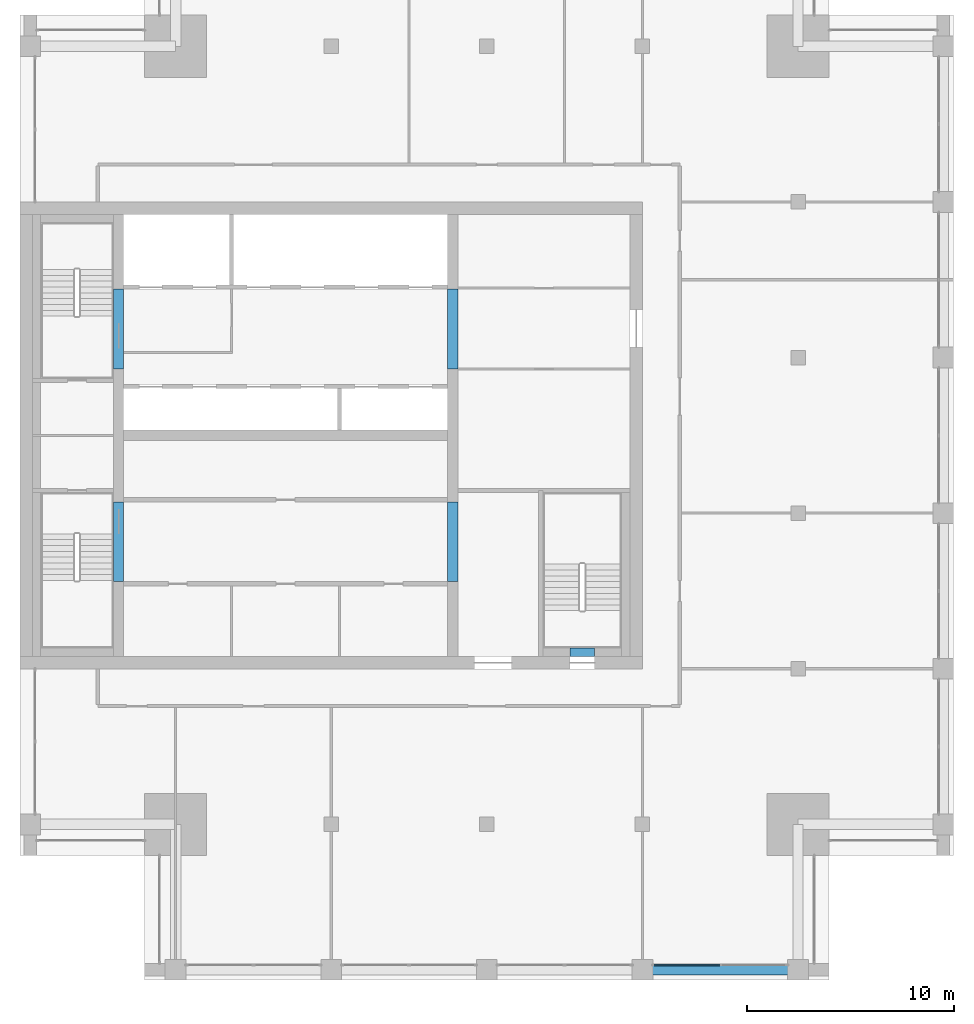
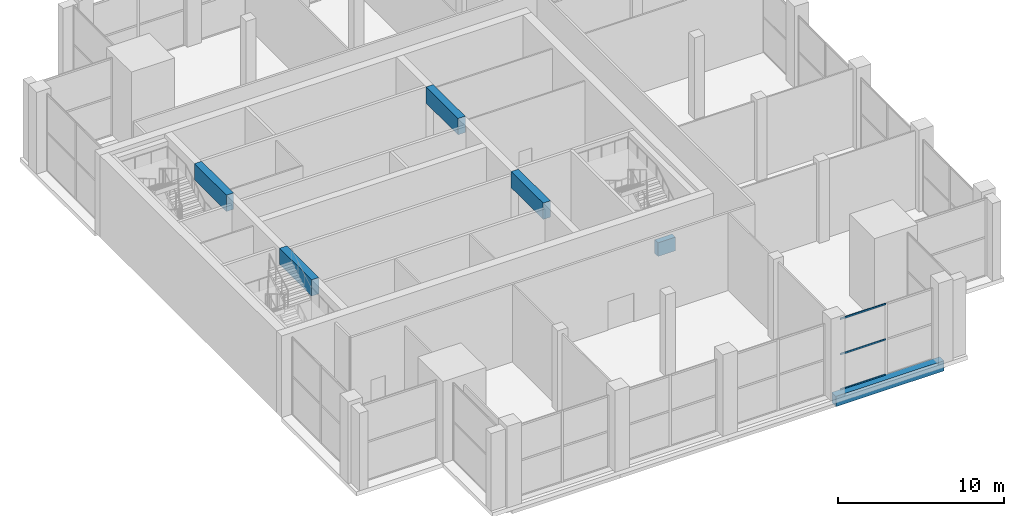
# One storey, part 3 of 15: 6 beams, 3 members, 1 element without a shape of its own.
"""IFC4 building model written with IfcOpenShell, lengths in metres."""

from ifc_helpers import new_model, si_unit, direction, frame, origin, origin_2d, place, context, subcontext, project, spatial, rectangle, extrude, material, layer, layer_set, material_profile, profile_set, type_object, element, aggregate, save


model = new_model("IFC4")

# Units and contexts
model_context = context("Model", 3, precision=1e-05, world=origin(), true_north=direction((0.0, 1.0)))
body_context = subcontext(model_context, "Body", "Model", "MODEL_VIEW")
ifc_project = project(units=[si_unit("LENGTHUNIT", "METRE"), si_unit("AREAUNIT", "SQUARE_METRE"), si_unit("VOLUMEUNIT", "CUBIC_METRE"), si_unit("PLANEANGLEUNIT", "RADIAN"), si_unit("MASSUNIT", "GRAM", prefix="KILO")], contexts=[model_context])

# Site, building, storey
site_placement = place(None, origin())
site = spatial("IfcSite", under=ifc_project, at=site_placement, CompositionType="ELEMENT")
building_placement = place(site_placement, origin())
building = spatial("IfcBuilding", under=site, at=building_placement, Name="Tamorin Gate", CompositionType="ELEMENT")
storey_placement = place(building_placement, frame((0.0, 0.0, 302.699951171875)))
storey = spatial("IfcBuildingStorey", under=building, at=storey_placement, Name="L75", CompositionType="ELEMENT", Elevation=302.699951171875)

# Curtain wall, members
ifc_material_1 = material(Name="Aluminium mullions and transoms with clear glass", Category="aluminium")
ifc_layer = layer(ifc_material_1, 0.159912109375)
ifc_layer_set = layer_set([ifc_layer], Name="Curtain wall system CW4")
curtain_wall_type = type_object("IfcCurtainWallType", Name="Curtain wall system CW4", PredefinedType="NOTDEFINED", material=ifc_layer_set)
curtain_wall_placement = place(storey_placement, origin())
curtain_wall = element("IfcCurtainWall", 1, at=curtain_wall_placement, inside=storey, type_object=curtain_wall_type, Name="Curtain wall", PredefinedType="NOTDEFINED")
ifc_material_2 = material(Name="Aluminium", Category="aluminium")
ifc_material_profile_1 = material_profile(ifc_material_2, rectangle(XDim=0.06005859375, YDim=0.1201171875, at=origin_2d()), Name="RECT 60x120")
ifc_profile_set_1 = profile_set([ifc_material_profile_1], Name="Aluminium")
member_type = type_object("IfcMemberType", Name="Aluminium transom 60x120", PredefinedType="USERDEFINED", material=ifc_profile_set_1)
member_1_placement = place(storey_placement, frame((60.56005859375, 45.719970703125, 0.030029296875), z_axis=(1.0, 0.0, 0.0), x_axis=(0.0, 1.0, 0.0)))
member_1 = element("IfcMember", 2, at=member_1_placement, type_object=member_type, Name="CW4 transom 1.1", ObjectType="TRANSOM", PredefinedType="USERDEFINED", context=body_context, shape_type="SweptSolid", body=[
    extrude(rectangle(XDim=0.06005859375, YDim=0.1201171875, at=origin_2d()), origin(), (0.0, 0.0, 1.0), 3.159912109375),
])
member_2_placement = place(storey_placement, frame((60.56005859375, 45.719970703125, 2.625), z_axis=(1.0, 0.0, 0.0), x_axis=(0.0, 1.0, 0.0)))
member_2 = element("IfcMember", 3, at=member_2_placement, type_object=member_type, Name="CW4 transom 1.2", ObjectType="TRANSOM", PredefinedType="USERDEFINED", context=body_context, shape_type="SweptSolid", body=[
    extrude(rectangle(XDim=0.06005859375, YDim=0.1201171875, at=origin_2d()), origin(), (0.0, 0.0, 1.0), 3.159912109375),
])
member_3_placement = place(storey_placement, frame((60.56005859375, 45.719970703125, 5.219970703125), z_axis=(1.0, 0.0, 0.0), x_axis=(0.0, 1.0, 0.0)))
member_3 = element("IfcMember", 4, at=member_3_placement, type_object=member_type, Name="CW4 transom 1.3", ObjectType="TRANSOM", PredefinedType="USERDEFINED", context=body_context, shape_type="SweptSolid", body=[
    extrude(rectangle(XDim=0.06005859375, YDim=0.1201171875, at=origin_2d()), origin(), (0.0, 0.0, 1.0), 3.159912109375),
])
aggregate(curtain_wall, [member_1, member_2, member_3])

# Beams
ifc_material_3 = material(Name="Concrete C50/60", Category="concrete")
ifc_material_profile_2 = material_profile(ifc_material_3, rectangle(XDim=0.5, YDim=1.199951171875, at=origin_2d()), Name="RC 500x1200")
ifc_profile_set_2 = profile_set([ifc_material_profile_2], Name="Concrete C50/60")
beam_type_1 = type_object("IfcBeamType", Name="RC coupling beam 500x1200 C50/60", PredefinedType="BEAM", material=ifc_profile_set_2)
for number, where, z_axis, x_axis, name in (
    (5, (34.75, 64.199951171875, 5.400146484375), (0.0, 1.0, 0.0), (-1.0, 0.0, 0.0), "Coupling beam L75"),
    (6, (34.75, 74.449951171875, 5.400146484375), (0.0, 1.0, 0.0), (-1.0, 0.0, 0.0), "Coupling beam L75"),
    (7, (50.85009765625, 64.199951171875, 5.400146484375), (0.0, 1.0, 0.0), (-1.0, 0.0, 0.0), "Coupling beam L75"),
    (8, (50.85009765625, 74.449951171875, 5.400146484375), (0.0, 1.0, 0.0), (-1.0, 0.0, 0.0), "Coupling beam L75"),
):
    element("IfcBeam", number, at=place(storey_placement, frame(where, z_axis=z_axis, x_axis=x_axis)), inside=storey, type_object=beam_type_1, Name=name, PredefinedType="BEAM", context=body_context, shape_type="SweptSolid", body=[
        extrude(rectangle(XDim=0.5, YDim=1.199951171875, at=origin_2d()), origin(), (0.0, 0.0, 1.0), 3.85009765625),
    ])
ifc_material_profile_3 = material_profile(ifc_material_3, rectangle(XDim=0.5, YDim=0.75, at=origin_2d()), Name="RC 500x750")
ifc_profile_set_3 = profile_set([ifc_material_profile_3], Name="Concrete C50/60")
beam_type_2 = type_object("IfcBeamType", Name="RC spandrel 500x750 C50/60", PredefinedType="BEAM", material=ifc_profile_set_3)
beam_1_placement = place(storey_placement, frame((60.0, 45.5, -0.375), z_axis=(1.0, 0.0, 0.0), x_axis=(0.0, 1.0, 0.0)))
element("IfcBeam", 9, at=beam_1_placement, inside=storey, type_object=beam_type_2, Name="Spandrel beam L75", PredefinedType="BEAM", context=body_context, shape_type="SweptSolid", body=[
    extrude(rectangle(XDim=0.5, YDim=0.75, at=origin_2d()), origin(), (0.0, 0.0, 1.0), 7.5),
])
ifc_material_profile_4 = material_profile(ifc_material_3, rectangle(XDim=0.39990234375, YDim=1.0, at=origin_2d()))
ifc_profile_set_4 = profile_set([ifc_material_profile_4], Name="Concrete C50/60")
beam_type_3 = type_object("IfcBeamType", Name="Stair lintel 400x1000 C50/60", PredefinedType="BEAM", material=ifc_profile_set_4)
beam_2_placement = place(storey_placement, frame((56.5, 60.800048828125, 2.699951171875), z_axis=(1.0, 0.0, 0.0), x_axis=(0.0, 1.0, 0.0)))
element("IfcBeam", 10, at=beam_2_placement, inside=storey, type_object=beam_type_3, Name="Stair lintel", PredefinedType="BEAM", context=body_context, shape_type="SweptSolid", body=[
    extrude(rectangle(XDim=0.39990234375, YDim=1.0, at=origin_2d()), origin(), (0.0, 0.0, 1.0), 1.199951171875),
])

save(model, "model.ifc")
